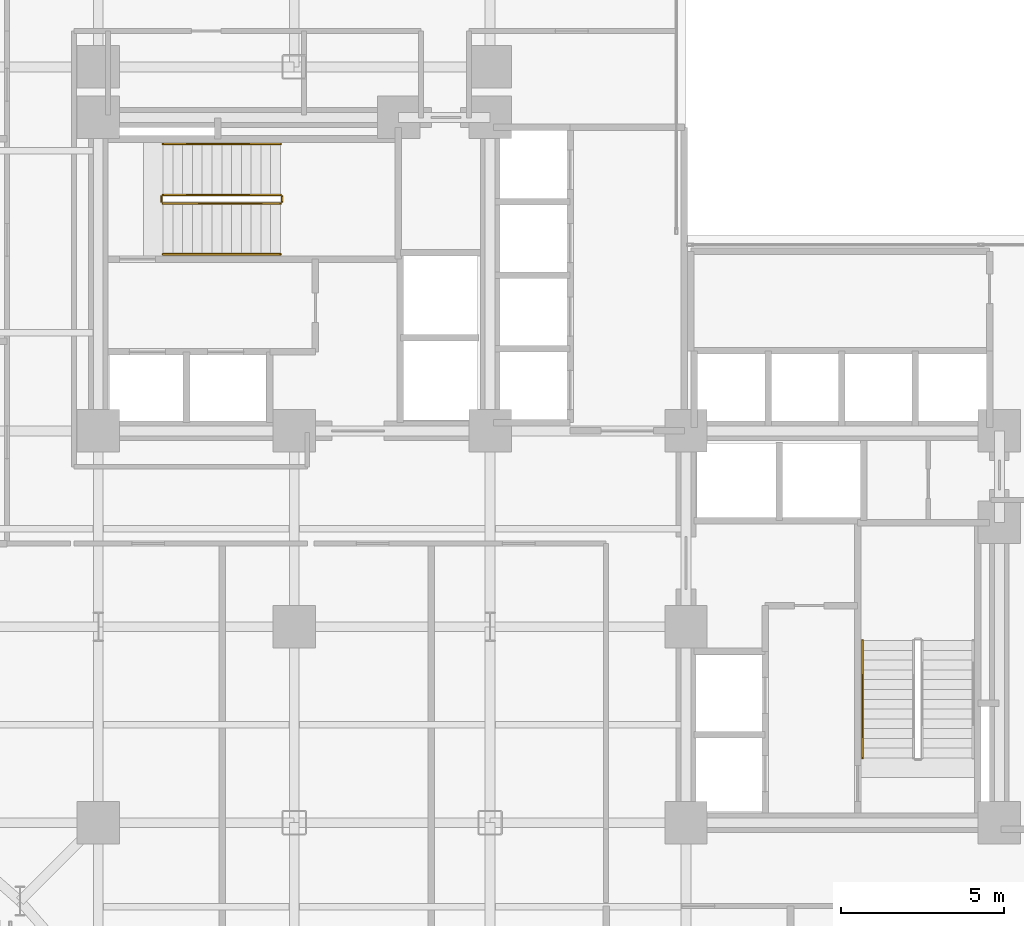
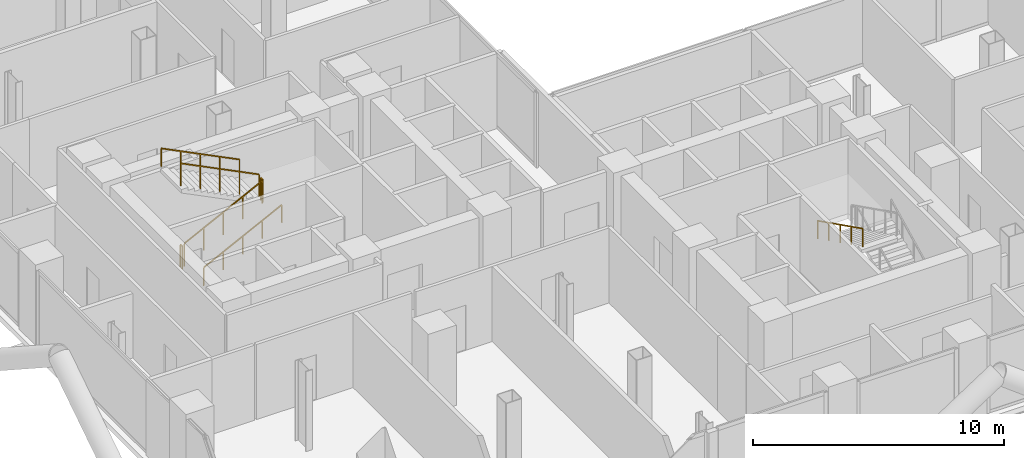
# One storey, part 25 of 27: 7 railings.
"""IFC4 building model written with IfcOpenShell, lengths in metres."""

from ifc_helpers import new_model, si_unit, direction, frame, origin, origin_2d, place, context, subcontext, project, spatial, rectangle, extrude, material, type_object, element, save


model = new_model("IFC4")

# Units and contexts
model_context = context("Model", 3, precision=1e-05, world=origin(), true_north=direction((0.0, 1.0)))
body_context = subcontext(model_context, "Body", "Model", "MODEL_VIEW")
ifc_project = project(units=[si_unit("LENGTHUNIT", "METRE"), si_unit("AREAUNIT", "SQUARE_METRE"), si_unit("VOLUMEUNIT", "CUBIC_METRE"), si_unit("PLANEANGLEUNIT", "RADIAN"), si_unit("MASSUNIT", "GRAM", prefix="KILO"), si_unit("THERMODYNAMICTEMPERATUREUNIT", "KELVIN"), si_unit("POWERUNIT", "WATT")], contexts=[model_context])

# Site, building, storey
site_placement = place(None, origin())
site = spatial("IfcSite", under=ifc_project, at=site_placement, CompositionType="ELEMENT")
building_placement = place(site_placement, origin())
building = spatial("IfcBuilding", under=site, at=building_placement, Name="Svarakhadi Broadcast Tower", CompositionType="ELEMENT")
storey_placement = place(building_placement, frame((0.0, 0.0, 75.300048828125)))
storey = spatial("IfcBuildingStorey", under=building, at=storey_placement, Name="L17", CompositionType="ELEMENT", Elevation=75.300048828125)

# Railings
ifc_material = material(Name="Anodised Bronze Aluminium AA 6063-T6", Category="aluminium")
railing_type_1 = type_object("IfcRailingType", Name="Guard_Stair_GR01", PredefinedType="GUARDRAIL", material=ifc_material)
railing_1_placement = place(storey_placement, frame((7.97998046875, 24.969970703125, 0.14990234375)))
element("IfcRailing", 1, at=railing_1_placement, inside=storey, type_object=railing_type_1, Name="L17 ST-01 stair guard 1", PredefinedType="GUARDRAIL", context=body_context, shape_type="SweptSolid", body=[
    extrude(rectangle(XDim=0.048095703125, YDim=0.048095703125, at=origin_2d()), frame((0.0, 0.0, 1.09619140625), z_axis=(0.894427191, 0.0, 0.4472135955), x_axis=(0.0, 1.0, 0.0)), (0.0, 0.0, 1.0), 4.025146484375),
    extrude(rectangle(XDim=0.0419921875, YDim=0.0419921875, at=origin_2d()), origin(), (0.0, 0.0, 1.0), 1.072021484375),
    extrude(rectangle(XDim=0.0419921875, YDim=0.0419921875, at=origin_2d()), frame((0.89990234375, 0.0, 0.449951171875)), (0.0, 0.0, 1.0), 1.072021484375),
    extrude(rectangle(XDim=0.0419921875, YDim=0.0419921875, at=origin_2d()), frame((1.800048828125, 0.0, 0.89990234375)), (0.0, 0.0, 1.0), 1.072021484375),
    extrude(rectangle(XDim=0.0419921875, YDim=0.0419921875, at=origin_2d()), frame((2.7001953125, 0.0, 1.35009765625)), (0.0, 0.0, 1.0), 1.072021484375),
    extrude(rectangle(XDim=0.0419921875, YDim=0.0419921875, at=origin_2d()), frame((3.60009765625, 0.0, 1.800048828125)), (0.0, 0.0, 1.0), 1.072021484375),
])
railing_2_placement = place(storey_placement, frame((11.6298828125, 25.02001953125, 1.949951171875)))
element("IfcRailing", 2, at=railing_2_placement, inside=storey, type_object=railing_type_1, Name="L17 ST-01 stair guard 2", PredefinedType="GUARDRAIL", context=body_context, shape_type="SweptSolid", body=[
    extrude(rectangle(XDim=0.048095703125, YDim=0.048095703125, at=origin_2d()), frame((0.0, 0.0, 1.09619140625), z_axis=(0.0, 1.0, 0.0), x_axis=(-1.0, 0.0, 0.0)), (0.0, 0.0, 1.0), 0.159912109375),
    extrude(rectangle(XDim=0.0419921875, YDim=0.0419921875, at=origin_2d()), origin(), (0.0, 0.0, 1.0), 1.072021484375),
    extrude(rectangle(XDim=0.0419921875, YDim=0.0419921875, at=origin_2d()), frame((0.0, 0.159912109375, 0.0)), (0.0, 0.0, 1.0), 1.072021484375),
])
railing_3_placement = place(storey_placement, frame((11.580078125, 25.22998046875, 2.099853515625)))
element("IfcRailing", 3, at=railing_3_placement, inside=storey, type_object=railing_type_1, Name="L17 ST-01 stair guard 3", PredefinedType="GUARDRAIL", context=body_context, shape_type="SweptSolid", body=[
    extrude(rectangle(XDim=0.048095703125, YDim=0.048095703125, at=origin_2d()), frame((0.0, 0.0, 1.09619140625), z_axis=(-0.894427191, 0.0, 0.4472135955), x_axis=(0.0, -1.0, 0.0)), (0.0, 0.0, 1.0), 4.025146484375),
    extrude(rectangle(XDim=0.0419921875, YDim=0.0419921875, at=origin_2d()), origin(), (0.0, 0.0, 1.0), 1.072021484375),
    extrude(rectangle(XDim=0.0419921875, YDim=0.0419921875, at=origin_2d()), frame((-0.89990234375, 0.0, 0.449951171875)), (0.0, 0.0, 1.0), 1.072021484375),
    extrude(rectangle(XDim=0.0419921875, YDim=0.0419921875, at=origin_2d()), frame((-1.800048828125, 0.0, 0.89990234375)), (0.0, 0.0, 1.0), 1.072021484375),
    extrude(rectangle(XDim=0.0419921875, YDim=0.0419921875, at=origin_2d()), frame((-2.7001953125, 0.0, 1.35009765625)), (0.0, 0.0, 1.0), 1.072021484375),
    extrude(rectangle(XDim=0.0419921875, YDim=0.0419921875, at=origin_2d()), frame((-3.60009765625, 0.0, 1.800048828125)), (0.0, 0.0, 1.0), 1.072021484375),
])
railing_4_placement = place(storey_placement, frame((7.929931640625, 25.02001953125, 0.0)))
element("IfcRailing", 4, at=railing_4_placement, inside=storey, type_object=railing_type_1, Name="L17 ST-01 stair guard 4", PredefinedType="GUARDRAIL", context=body_context, shape_type="SweptSolid", body=[
    extrude(rectangle(XDim=0.048095703125, YDim=0.048095703125, at=origin_2d()), frame((0.0, 0.0, 1.09619140625), z_axis=(0.0, 1.0, 0.0), x_axis=(-1.0, 0.0, 0.0)), (0.0, 0.0, 1.0), 0.159912109375),
    extrude(rectangle(XDim=0.0419921875, YDim=0.0419921875, at=origin_2d()), origin(), (0.0, 0.0, 1.0), 1.072021484375),
    extrude(rectangle(XDim=0.0419921875, YDim=0.0419921875, at=origin_2d()), frame((0.0, 0.159912109375, 0.0)), (0.0, 0.0, 1.0), 1.072021484375),
])
railing_type_2 = type_object("IfcRailingType", Name="Handrail_Stair_HR01", PredefinedType="HANDRAIL", material=ifc_material)
railing_5_placement = place(storey_placement, frame((7.97998046875, 23.409912109375, 0.14990234375)))
element("IfcRailing", 5, at=railing_5_placement, inside=storey, type_object=railing_type_2, Name="L17 ST-01 stair handrail 1", PredefinedType="HANDRAIL", context=body_context, shape_type="SweptSolid", body=[
    extrude(rectangle(XDim=0.048095703125, YDim=0.048095703125, at=origin_2d()), frame((0.0, 0.0, 0.8759765625), z_axis=(0.894427191, 0.0, 0.4472135955), x_axis=(0.0, 1.0, 0.0)), (0.0, 0.0, 1.0), 4.025146484375),
    extrude(rectangle(XDim=0.0419921875, YDim=0.0419921875, at=origin_2d()), origin(), (0.0, 0.0, 1.0), 0.851806640625),
    extrude(rectangle(XDim=0.0419921875, YDim=0.0419921875, at=origin_2d()), frame((0.89990234375, 0.0, 0.449951171875)), (0.0, 0.0, 1.0), 0.851806640625),
    extrude(rectangle(XDim=0.0419921875, YDim=0.0419921875, at=origin_2d()), frame((1.800048828125, 0.0, 0.89990234375)), (0.0, 0.0, 1.0), 0.851806640625),
    extrude(rectangle(XDim=0.0419921875, YDim=0.0419921875, at=origin_2d()), frame((2.7001953125, 0.0, 1.35009765625)), (0.0, 0.0, 1.0), 0.851806640625),
    extrude(rectangle(XDim=0.0419921875, YDim=0.0419921875, at=origin_2d()), frame((3.60009765625, 0.0, 1.800048828125)), (0.0, 0.0, 1.0), 0.851806640625),
])
railing_6_placement = place(storey_placement, frame((11.580078125, 26.7900390625, 2.099853515625)))
element("IfcRailing", 6, at=railing_6_placement, inside=storey, type_object=railing_type_2, Name="L17 ST-01 stair handrail 2", PredefinedType="HANDRAIL", context=body_context, shape_type="SweptSolid", body=[
    extrude(rectangle(XDim=0.048095703125, YDim=0.048095703125, at=origin_2d()), frame((0.0, 0.0, 0.8759765625), z_axis=(-0.894427191, 0.0, 0.4472135955), x_axis=(0.0, -1.0, 0.0)), (0.0, 0.0, 1.0), 4.025146484375),
    extrude(rectangle(XDim=0.0419921875, YDim=0.0419921875, at=origin_2d()), origin(), (0.0, 0.0, 1.0), 0.851806640625),
    extrude(rectangle(XDim=0.0419921875, YDim=0.0419921875, at=origin_2d()), frame((-0.89990234375, 0.0, 0.449951171875)), (0.0, 0.0, 1.0), 0.851806640625),
    extrude(rectangle(XDim=0.0419921875, YDim=0.0419921875, at=origin_2d()), frame((-1.800048828125, 0.0, 0.89990234375)), (0.0, 0.0, 1.0), 0.851806640625),
    extrude(rectangle(XDim=0.0419921875, YDim=0.0419921875, at=origin_2d()), frame((-2.7001953125, 0.0, 1.35009765625)), (0.0, 0.0, 1.0), 0.851806640625),
    extrude(rectangle(XDim=0.0419921875, YDim=0.0419921875, at=origin_2d()), frame((-3.60009765625, 0.0, 1.800048828125)), (0.0, 0.0, 1.0), 0.851806640625),
])
railing_7_placement = place(storey_placement, frame((29.409912109375, 11.580078125, 2.099853515625)))
element("IfcRailing", 7, at=railing_7_placement, inside=storey, type_object=railing_type_2, Name="L17 ST-02 stair handrail 2", PredefinedType="HANDRAIL", context=body_context, shape_type="SweptSolid", body=[
    extrude(rectangle(XDim=0.048095703125, YDim=0.048095703125, at=origin_2d()), frame((0.0, 0.0, 0.8759765625), z_axis=(0.0, -0.894427191, 0.4472135955), x_axis=(1.0, 0.0, 0.0)), (0.0, 0.0, 1.0), 4.025146484375),
    extrude(rectangle(XDim=0.0419921875, YDim=0.0419921875, at=origin_2d()), origin(), (0.0, 0.0, 1.0), 0.851806640625),
    extrude(rectangle(XDim=0.0419921875, YDim=0.0419921875, at=origin_2d()), frame((0.0, -0.89990234375, 0.449951171875)), (0.0, 0.0, 1.0), 0.851806640625),
    extrude(rectangle(XDim=0.0419921875, YDim=0.0419921875, at=origin_2d()), frame((0.0, -1.800048828125, 0.89990234375)), (0.0, 0.0, 1.0), 0.851806640625),
    extrude(rectangle(XDim=0.0419921875, YDim=0.0419921875, at=origin_2d()), frame((0.0, -2.7001953125, 1.35009765625)), (0.0, 0.0, 1.0), 0.851806640625),
    extrude(rectangle(XDim=0.0419921875, YDim=0.0419921875, at=origin_2d()), frame((0.0, -3.60009765625, 1.800048828125)), (0.0, 0.0, 1.0), 0.851806640625),
])

save(model, "model.ifc")
